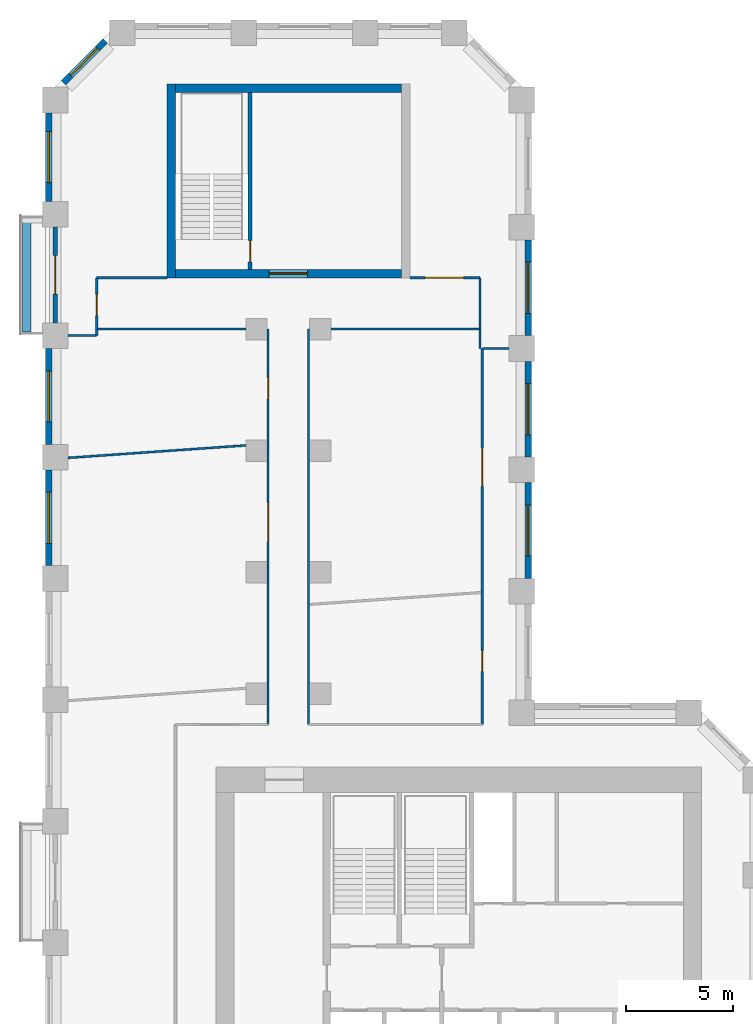
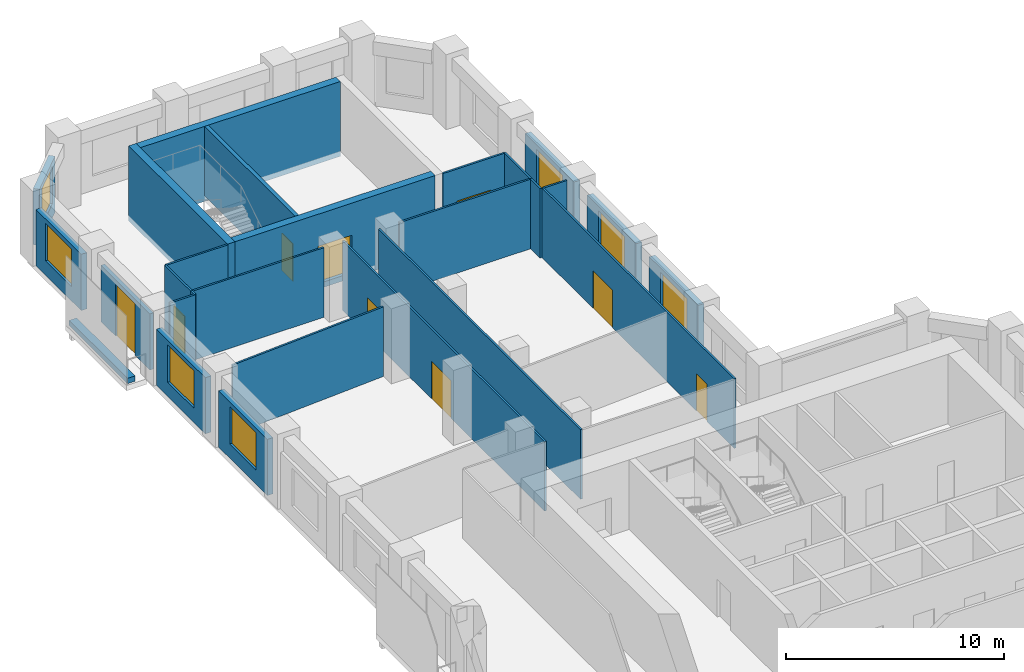
# One storey, part 8 of 10: 27 walls, 9 doors, 7 windows, 16 openings.
"""IFC4 building model written with IfcOpenShell, lengths in metres."""

from ifc_helpers import new_model, si_unit, direction, frame, frame_2d, origin, place, context, subcontext, project, spatial, rectangle, extrude, material, layer, layer_set, type_object, element, fill, save


model = new_model("IFC4")

# Units and contexts
model_context = context("Model", 3, precision=1e-05, world=origin(), true_north=direction((0.0, 1.0)))
body_context = subcontext(model_context, "Body", "Model", "MODEL_VIEW")
ifc_project = project(units=[si_unit("LENGTHUNIT", "METRE"), si_unit("AREAUNIT", "SQUARE_METRE"), si_unit("VOLUMEUNIT", "CUBIC_METRE"), si_unit("PLANEANGLEUNIT", "RADIAN"), si_unit("MASSUNIT", "GRAM", prefix="KILO")], contexts=[model_context])

# Site, building, storey
site_placement = place(None, origin())
site = spatial("IfcSite", under=ifc_project, at=site_placement, CompositionType="ELEMENT")
building_placement = place(site_placement, origin())
building = spatial("IfcBuilding", under=site, at=building_placement, Name="Meshkara Civic Tower", CompositionType="ELEMENT")
storey_placement = place(building_placement, frame((0.0, 0.0, 207.60009765625)))
storey = spatial("IfcBuildingStorey", under=building, at=storey_placement, Name="L47", CompositionType="ELEMENT", Elevation=207.60009765625)

# Wall
ifc_material_1 = material(Name="Corridor wall 100")
ifc_layer_1 = layer(ifc_material_1, 0.10009765625)
ifc_layer_set_1 = layer_set([ifc_layer_1], Name="Corridor wall 100")
wall_type_1 = type_object("IfcWallType", Name="Corridor wall 100", PredefinedType="PARTITIONING", material=ifc_layer_set_1)
wall_1_placement = place(storey_placement, frame((2.39990234375, 57.469970703125, 0.0), z_axis=(0.0, 0.0, 1.0), x_axis=(1.0, 0.0, 0.0)))
element("IfcWall", 1, at=wall_1_placement, inside=storey, type_object=wall_type_1, Name="L47-W001", PredefinedType="PARTITIONING", context=body_context, shape_type="SweptSolid", body=[
    extrude(rectangle(XDim=7.0, YDim=0.10009765625, at=frame_2d((3.5, 0.0))), origin(), (0.0, 0.0, 1.0), 3.89990234375),
])

# Wall, opening, door
wall_2_placement = place(storey_placement, frame((2.39990234375, 59.8701171875, 0.0), z_axis=(0.0, 0.0, 1.0), x_axis=(0.0, -1.0, 0.0)))
wall_2 = element("IfcWall", 2, at=wall_2_placement, inside=storey, type_object=wall_type_1, Name="L47-W002", PredefinedType="PARTITIONING", context=body_context, shape_type="SweptSolid", body=[
    extrude(rectangle(XDim=2.400146484375, YDim=0.10009765625, at=frame_2d((1.2001953125, 0.0))), origin(), (0.0, 0.0, 1.0), 3.89990234375),
])
opening_1_placement = place(wall_2_placement, frame((0.780029296875, 0.0, 0.0)))
opening_1 = element("IfcOpeningElement", 3, at=opening_1_placement, cuts=wall_2, Name="Opening L47-D021", PredefinedType="OPENING", context=body_context, shape_type="SweptSolid", body=[
    extrude(rectangle(XDim=1.0, YDim=2.10009765625, at=frame_2d((0.5, 1.050048828125))), frame((0.0, 0.06005859375, 0.0), z_axis=(0.0, -1.0, 0.0), x_axis=(1.0, 0.0, 0.0)), (0.0, 0.0, 1.0), 0.1201171875),
])
ifc_material_2 = material(Name="Door 1000 x 2100")
door_type_1 = type_object("IfcDoorType", Name="Door 1000 x 2100", OperationType="SINGLE_SWING_LEFT", PredefinedType="DOOR", material=ifc_material_2)
door_1_placement = place(opening_1_placement, origin())
door_1 = element("IfcDoor", 4, at=door_1_placement, inside=storey, type_object=door_type_1, Name="L47-D021", OperationType="SINGLE_SWING_LEFT", OverallHeight=2.10009765625, OverallWidth=1.0, PredefinedType="DOOR", context=body_context, shape_type="SweptSolid", body=[
    extrude(rectangle(XDim=1.0, YDim=2.10009765625, at=frame_2d((0.5, 1.050048828125))), frame((0.0, 0.02490234375, 0.0), z_axis=(0.0, -1.0, 0.0), x_axis=(1.0, 0.0, 0.0)), (0.0, 0.0, 1.0), 0.050048828125),
])
fill(opening_1, door_1)

# Wall
wall_3_placement = place(storey_placement, frame((5.699951171875, 59.8701171875, 0.0), z_axis=(0.0, 0.0, 1.0), x_axis=(-1.0, 0.0, 0.0)))
element("IfcWall", 5, at=wall_3_placement, inside=storey, type_object=wall_type_1, Name="L47-W003", PredefinedType="PARTITIONING", context=body_context, shape_type="SweptSolid", body=[
    extrude(rectangle(XDim=3.300048828125, YDim=0.10009765625, at=frame_2d((1.64990234375, 0.0))), origin(), (0.0, 0.0, 1.0), 3.89990234375),
])

# Wall, openings, doors
wall_4_placement = place(storey_placement, frame((10.449951171875, 57.469970703125, 0.0), z_axis=(0.0, 0.0, 1.0), x_axis=(0.0, -1.0, 0.0)))
wall_4 = element("IfcWall", 6, at=wall_4_placement, inside=storey, type_object=wall_type_1, Name="L47-W012", PredefinedType="PARTITIONING", context=body_context, shape_type="SweptSolid", body=[
    extrude(rectangle(XDim=18.570068359375, YDim=0.10009765625, at=frame_2d((9.28515625, 0.0))), origin(), (0.0, 0.0, 1.0), 3.89990234375),
])
opening_2_placement = place(wall_4_placement, frame((8.176025390625, 0.0, 0.0)))
opening_2 = element("IfcOpeningElement", 7, at=opening_2_placement, cuts=wall_4, Name="Opening L47-D019", PredefinedType="OPENING", context=body_context, shape_type="SweptSolid", body=[
    extrude(rectangle(XDim=1.800048828125, YDim=2.10009765625, at=frame_2d((0.89990234375, 1.050048828125))), frame((0.0, 0.06005859375, 0.0), z_axis=(0.0, -1.0, 0.0), x_axis=(1.0, 0.0, 0.0)), (0.0, 0.0, 1.0), 0.1201171875),
])
opening_3_placement = place(wall_4_placement, frame((2.280029296875, 0.0, 0.0)))
opening_3 = element("IfcOpeningElement", 8, at=opening_3_placement, cuts=wall_4, Name="Opening L47-D022", PredefinedType="OPENING", context=body_context, shape_type="SweptSolid", body=[
    extrude(rectangle(XDim=1.0, YDim=2.10009765625, at=frame_2d((0.5, 1.050048828125))), frame((0.0, 0.06005859375, 0.0), z_axis=(0.0, -1.0, 0.0), x_axis=(1.0, 0.0, 0.0)), (0.0, 0.0, 1.0), 0.1201171875),
])
door_2_placement = place(opening_3_placement, origin())
door_2 = element("IfcDoor", 9, at=door_2_placement, inside=storey, type_object=door_type_1, Name="L47-D022", OperationType="SINGLE_SWING_LEFT", OverallHeight=2.10009765625, OverallWidth=1.0, PredefinedType="DOOR", context=body_context, shape_type="SweptSolid", body=[
    extrude(rectangle(XDim=1.0, YDim=2.10009765625, at=frame_2d((0.5, 1.050048828125))), frame((0.0, 0.02490234375, 0.0), z_axis=(0.0, -1.0, 0.0), x_axis=(1.0, 0.0, 0.0)), (0.0, 0.0, 1.0), 0.050048828125),
])
fill(opening_3, door_2)
ifc_material_3 = material(Name="Door pair 1800 x 2100")
door_type_2 = type_object("IfcDoorType", Name="Door pair 1800 x 2100", OperationType="SINGLE_SWING_LEFT", PredefinedType="DOOR", material=ifc_material_3)
door_3_placement = place(opening_2_placement, origin())
door_3 = element("IfcDoor", 10, at=door_3_placement, inside=storey, type_object=door_type_2, Name="L47-D019", OperationType="DOUBLE_DOOR_SINGLE_SWING", OverallHeight=2.10009765625, OverallWidth=1.800048828125, PredefinedType="DOOR", context=body_context, shape_type="SweptSolid", body=[
    extrude(rectangle(XDim=1.800048828125, YDim=2.10009765625, at=frame_2d((0.89990234375, 1.050048828125))), frame((0.0, 0.02490234375, 0.0), z_axis=(0.0, -1.0, 0.0), x_axis=(1.0, 0.0, 0.0)), (0.0, 0.0, 1.0), 0.050048828125),
])
fill(opening_2, door_3)

# Walls
wall_5_placement = place(storey_placement, frame((12.35009765625, 57.469970703125, 0.0), z_axis=(0.0, 0.0, 1.0), x_axis=(0.0, -1.0, 0.0)))
element("IfcWall", 11, at=wall_5_placement, inside=storey, type_object=wall_type_1, Name="L47-W013", PredefinedType="PARTITIONING", context=body_context, shape_type="SweptSolid", body=[
    extrude(rectangle(XDim=18.570068359375, YDim=0.10009765625, at=frame_2d((9.28515625, 0.0))), origin(), (0.0, 0.0, 1.0), 3.89990234375),
])
wall_6_placement = place(storey_placement, frame((13.39990234375, 57.469970703125, 0.0), z_axis=(0.0, 0.0, 1.0), x_axis=(1.0, 0.0, 0.0)))
element("IfcWall", 12, at=wall_6_placement, inside=storey, type_object=wall_type_1, Name="L47-W015", PredefinedType="PARTITIONING", context=body_context, shape_type="SweptSolid", body=[
    extrude(rectangle(XDim=7.0, YDim=0.10009765625, at=frame_2d((3.5, 0.0))), origin(), (0.0, 0.0, 1.0), 3.89990234375),
])
wall_7_placement = place(storey_placement, frame((20.39990234375, 57.469970703125, 0.0), z_axis=(0.0, 0.0, 1.0), x_axis=(0.0, 1.0, 0.0)))
element("IfcWall", 13, at=wall_7_placement, inside=storey, type_object=wall_type_1, Name="L47-W016", PredefinedType="PARTITIONING", context=body_context, shape_type="SweptSolid", body=[
    extrude(rectangle(XDim=2.400146484375, YDim=0.10009765625, at=frame_2d((1.2001953125, 0.0))), origin(), (0.0, 0.0, 1.0), 3.89990234375),
])

# Wall, opening, door
wall_8_placement = place(storey_placement, frame((20.39990234375, 59.8701171875, 0.0), z_axis=(0.0, 0.0, 1.0), x_axis=(-1.0, 0.0, 0.0)))
wall_8 = element("IfcWall", 14, at=wall_8_placement, inside=storey, type_object=wall_type_1, Name="L47-W017", PredefinedType="PARTITIONING", context=body_context, shape_type="SweptSolid", body=[
    extrude(rectangle(XDim=3.2998046875, YDim=0.10009765625, at=frame_2d((1.64990234375, 0.0))), origin(), (0.0, 0.0, 1.0), 3.89990234375),
])
opening_4_placement = place(wall_8_placement, frame((0.780029296875, 0.0, 0.0)))
opening_4 = element("IfcOpeningElement", 15, at=opening_4_placement, cuts=wall_8, Name="Opening L47-D023", PredefinedType="OPENING", context=body_context, shape_type="SweptSolid", body=[
    extrude(rectangle(XDim=1.800048828125, YDim=2.10009765625, at=frame_2d((0.89990234375, 1.050048828125))), frame((0.0, 0.06005859375, 0.0), z_axis=(0.0, -1.0, 0.0), x_axis=(1.0, 0.0, 0.0)), (0.0, 0.0, 1.0), 0.1201171875),
])
door_4_placement = place(opening_4_placement, origin())
door_4 = element("IfcDoor", 16, at=door_4_placement, inside=storey, type_object=door_type_2, Name="L47-D023", OperationType="DOUBLE_DOOR_SINGLE_SWING", OverallHeight=2.10009765625, OverallWidth=1.800048828125, PredefinedType="DOOR", context=body_context, shape_type="SweptSolid", body=[
    extrude(rectangle(XDim=1.800048828125, YDim=2.10009765625, at=frame_2d((0.89990234375, 1.050048828125))), frame((0.0, 0.02490234375, 0.0), z_axis=(0.0, -1.0, 0.0), x_axis=(1.0, 0.0, 0.0)), (0.0, 0.0, 1.0), 0.050048828125),
])
fill(opening_4, door_4)

# Wall, openings, doors
wall_9_placement = place(storey_placement, frame((20.5, 38.89990234375, 0.0), z_axis=(0.0, 0.0, 1.0), x_axis=(0.0, 1.0, 0.0)))
wall_9 = element("IfcWall", 17, at=wall_9_placement, inside=storey, type_object=wall_type_1, Name="L47-W018", PredefinedType="PARTITIONING", context=body_context, shape_type="SweptSolid", body=[
    extrude(rectangle(XDim=17.650146484375, YDim=0.10009765625, at=frame_2d((8.8251953125, 0.0))), origin(), (0.0, 0.0, 1.0), 3.89990234375),
])
opening_5_placement = place(wall_9_placement, frame((2.47998046875, 0.0, 0.0)))
opening_5 = element("IfcOpeningElement", 18, at=opening_5_placement, cuts=wall_9, Name="Opening L47-D018", PredefinedType="OPENING", context=body_context, shape_type="SweptSolid", body=[
    extrude(rectangle(XDim=1.0, YDim=2.10009765625, at=frame_2d((0.5, 1.050048828125))), frame((0.0, 0.06005859375, 0.0), z_axis=(0.0, -1.0, 0.0), x_axis=(1.0, 0.0, 0.0)), (0.0, 0.0, 1.0), 0.1201171875),
])
opening_6_placement = place(wall_9_placement, frame((11.177001953125, 0.0, 0.0)))
opening_6 = element("IfcOpeningElement", 19, at=opening_6_placement, cuts=wall_9, Name="Opening L47-D020", PredefinedType="OPENING", context=body_context, shape_type="SweptSolid", body=[
    extrude(rectangle(XDim=1.800048828125, YDim=2.10009765625, at=frame_2d((0.89990234375, 1.050048828125))), frame((0.0, 0.06005859375, 0.0), z_axis=(0.0, -1.0, 0.0), x_axis=(1.0, 0.0, 0.0)), (0.0, 0.0, 1.0), 0.1201171875),
])
door_5_placement = place(opening_5_placement, origin())
door_5 = element("IfcDoor", 20, at=door_5_placement, inside=storey, type_object=door_type_1, Name="L47-D018", OperationType="SINGLE_SWING_LEFT", OverallHeight=2.10009765625, OverallWidth=1.0, PredefinedType="DOOR", context=body_context, shape_type="SweptSolid", body=[
    extrude(rectangle(XDim=1.0, YDim=2.10009765625, at=frame_2d((0.5, 1.050048828125))), frame((0.0, 0.02490234375, 0.0), z_axis=(0.0, -1.0, 0.0), x_axis=(1.0, 0.0, 0.0)), (0.0, 0.0, 1.0), 0.050048828125),
])
fill(opening_5, door_5)
door_6_placement = place(opening_6_placement, origin())
door_6 = element("IfcDoor", 21, at=door_6_placement, inside=storey, type_object=door_type_2, Name="L47-D020", OperationType="DOUBLE_DOOR_SINGLE_SWING", OverallHeight=2.10009765625, OverallWidth=1.800048828125, PredefinedType="DOOR", context=body_context, shape_type="SweptSolid", body=[
    extrude(rectangle(XDim=1.800048828125, YDim=2.10009765625, at=frame_2d((0.89990234375, 1.050048828125))), frame((0.0, 0.02490234375, 0.0), z_axis=(0.0, -1.0, 0.0), x_axis=(1.0, 0.0, 0.0)), (0.0, 0.0, 1.0), 0.050048828125),
])
fill(opening_6, door_6)

# Wall
wall_10_placement = place(storey_placement, frame((21.75, 56.550048828125, 0.0), z_axis=(0.0, 0.0, 1.0), x_axis=(-1.0, 0.0, 0.0)))
element("IfcWall", 22, at=wall_10_placement, inside=storey, type_object=wall_type_1, Name="L47-W020", PredefinedType="PARTITIONING", context=body_context, shape_type="SweptSolid", body=[
    extrude(rectangle(XDim=1.25, YDim=0.10009765625, at=frame_2d((0.625, 0.0))), origin(), (0.0, 0.0, 1.0), 3.89990234375),
])

# Wall, opening, window
ifc_material_4 = material(Name="Insulated infill panel with bronze anodised aluminium cladding", Category="aluminium")
ifc_layer_2 = layer(ifc_material_4, 0.300048828125)
ifc_layer_set_2 = layer_set([ifc_layer_2], Name="EXTERNAL INFILL WALL 300")
wall_type_2 = type_object("IfcWallType", Name="EXTERNAL INFILL WALL 300", PredefinedType="SOLIDWALL", material=ifc_layer_set_2)
wall_11_placement = place(storey_placement, frame((22.64990234375, 45.75, 0.0), z_axis=(0.0, 0.0, 1.0), x_axis=(0.0, 1.0, 0.0)))
wall_11 = element("IfcWall", 23, at=wall_11_placement, inside=storey, type_object=wall_type_2, Name="External wall", PredefinedType="SOLIDWALL", context=body_context, shape_type="SweptSolid", body=[
    extrude(rectangle(XDim=4.5, YDim=0.300048828125, at=frame_2d((2.25, 0.0))), origin(), (0.0, 0.0, 1.0), 3.14990234375),
])
opening_7_placement = place(wall_11_placement, frame((1.050048828125, 0.0, 0.800048828125)))
opening_7 = element("IfcOpeningElement", 24, at=opening_7_placement, cuts=wall_11, Name="Opening W7", PredefinedType="OPENING", context=body_context, shape_type="SweptSolid", body=[
    extrude(rectangle(XDim=2.39990234375, YDim=2.10009765625, at=frame_2d((1.199951171875, 1.050048828125))), frame((0.0, 0.159912109375, 0.0), z_axis=(0.0, -1.0, 0.0), x_axis=(1.0, 0.0, 0.0)), (0.0, 0.0, 1.0), 0.320068359375),
])
ifc_material_5 = material(Name="Tinted double glazing", Category="glass")
window_type_1 = type_object("IfcWindowType", Name="WINDOW 2400x2100", PartitioningType="DOUBLE_PANEL_VERTICAL", PredefinedType="WINDOW", material=ifc_material_5)
window_1_placement = place(opening_7_placement, origin())
window_1 = element("IfcWindow", 25, at=window_1_placement, inside=storey, type_object=window_type_1, Name="Window", OverallHeight=2.10009765625, OverallWidth=2.39990234375, PartitioningType="DOUBLE_PANEL_VERTICAL", PredefinedType="WINDOW", context=body_context, shape_type="SweptSolid", body=[
    extrude(rectangle(XDim=2.39990234375, YDim=2.10009765625, at=frame_2d((1.199951171875, 1.050048828125))), frame((0.0, 0.030029296875, 0.0), z_axis=(0.0, -1.0, 0.0), x_axis=(1.0, 0.0, 0.0)), (0.0, 0.0, 1.0), 0.06005859375),
])
fill(opening_7, window_1)

wall_12_placement = place(storey_placement, frame((22.64990234375, 51.449951171875, 0.0), z_axis=(0.0, 0.0, 1.0), x_axis=(0.0, 1.0, 0.0)))
wall_12 = element("IfcWall", 26, at=wall_12_placement, inside=storey, type_object=wall_type_2, Name="External wall", PredefinedType="SOLIDWALL", context=body_context, shape_type="SweptSolid", body=[
    extrude(rectangle(XDim=4.5, YDim=0.300048828125, at=frame_2d((2.25, 0.0))), origin(), (0.0, 0.0, 1.0), 3.14990234375),
])
opening_8_placement = place(wall_12_placement, frame((1.050048828125, 0.0, 0.800048828125)))
opening_8 = element("IfcOpeningElement", 27, at=opening_8_placement, cuts=wall_12, Name="Opening W7", PredefinedType="OPENING", context=body_context, shape_type="SweptSolid", body=[
    extrude(rectangle(XDim=2.39990234375, YDim=2.10009765625, at=frame_2d((1.199951171875, 1.050048828125))), frame((0.0, 0.159912109375, 0.0), z_axis=(0.0, -1.0, 0.0), x_axis=(1.0, 0.0, 0.0)), (0.0, 0.0, 1.0), 0.320068359375),
])
window_2_placement = place(opening_8_placement, origin())
window_2 = element("IfcWindow", 28, at=window_2_placement, inside=storey, type_object=window_type_1, Name="Window", OverallHeight=2.10009765625, OverallWidth=2.39990234375, PartitioningType="DOUBLE_PANEL_VERTICAL", PredefinedType="WINDOW", context=body_context, shape_type="SweptSolid", body=[
    extrude(rectangle(XDim=2.39990234375, YDim=2.10009765625, at=frame_2d((1.199951171875, 1.050048828125))), frame((0.0, 0.030029296875, 0.0), z_axis=(0.0, -1.0, 0.0), x_axis=(1.0, 0.0, 0.0)), (0.0, 0.0, 1.0), 0.06005859375),
])
fill(opening_8, window_2)

wall_13_placement = place(storey_placement, frame((22.64990234375, 57.14990234375, 0.0), z_axis=(0.0, 0.0, 1.0), x_axis=(0.0, 1.0, 0.0)))
wall_13 = element("IfcWall", 29, at=wall_13_placement, inside=storey, type_object=wall_type_2, Name="External wall", PredefinedType="SOLIDWALL", context=body_context, shape_type="SweptSolid", body=[
    extrude(rectangle(XDim=4.5, YDim=0.300048828125, at=frame_2d((2.25, 0.0))), origin(), (0.0, 0.0, 1.0), 3.14990234375),
])
opening_9_placement = place(wall_13_placement, frame((1.050048828125, 0.0, 0.800048828125)))
opening_9 = element("IfcOpeningElement", 30, at=opening_9_placement, cuts=wall_13, Name="Opening W7", PredefinedType="OPENING", context=body_context, shape_type="SweptSolid", body=[
    extrude(rectangle(XDim=2.39990234375, YDim=2.10009765625, at=frame_2d((1.199951171875, 1.050048828125))), frame((0.0, 0.159912109375, 0.0), z_axis=(0.0, -1.0, 0.0), x_axis=(1.0, 0.0, 0.0)), (0.0, 0.0, 1.0), 0.320068359375),
])
window_3_placement = place(opening_9_placement, origin())
window_3 = element("IfcWindow", 31, at=window_3_placement, inside=storey, type_object=window_type_1, Name="Window", OverallHeight=2.10009765625, OverallWidth=2.39990234375, PartitioningType="DOUBLE_PANEL_VERTICAL", PredefinedType="WINDOW", context=body_context, shape_type="SweptSolid", body=[
    extrude(rectangle(XDim=2.39990234375, YDim=2.10009765625, at=frame_2d((1.199951171875, 1.050048828125))), frame((0.0, 0.030029296875, 0.0), z_axis=(0.0, -1.0, 0.0), x_axis=(1.0, 0.0, 0.0)), (0.0, 0.0, 1.0), 0.06005859375),
])
fill(opening_9, window_3)

wall_14_placement = place(storey_placement, frame((2.7939453125, 70.98193359375, 0.0), z_axis=(0.0, 0.0, 1.0), x_axis=(-0.707106781187, -0.707106781187, 0.0)))
wall_14 = element("IfcWall", 32, at=wall_14_placement, inside=storey, type_object=wall_type_2, Name="External wall", PredefinedType="SOLIDWALL", context=body_context, shape_type="SweptSolid", body=[
    extrude(rectangle(XDim=2.766357421875, YDim=0.300048828125, at=frame_2d((1.38330078125, 0.0))), origin(), (0.0, 0.0, 1.0), 3.14990234375),
])
opening_10_placement = place(wall_14_placement, frame((0.48291015625, 0.0, 0.800048828125)))
opening_10 = element("IfcOpeningElement", 33, at=opening_10_placement, cuts=wall_14, Name="Opening W9", PredefinedType="OPENING", context=body_context, shape_type="SweptSolid", body=[
    extrude(rectangle(XDim=1.800048828125, YDim=2.10009765625, at=frame_2d((0.89990234375, 1.050048828125))), frame((0.0, 0.159912109375, 0.0), z_axis=(0.0, -1.0, 0.0), x_axis=(1.0, 0.0, 0.0)), (0.0, 0.0, 1.0), 0.320068359375),
])
ifc_material_6 = material(Name="Tinted double glazing", Category="glass")
window_type_2 = type_object("IfcWindowType", Name="WINDOW 1800x2100", PartitioningType="DOUBLE_PANEL_VERTICAL", PredefinedType="WINDOW", material=ifc_material_6)
window_4_placement = place(opening_10_placement, origin())
window_4 = element("IfcWindow", 34, at=window_4_placement, inside=storey, type_object=window_type_2, Name="Window", OverallHeight=2.10009765625, OverallWidth=1.800048828125, PartitioningType="DOUBLE_PANEL_VERTICAL", PredefinedType="WINDOW", context=body_context, shape_type="SweptSolid", body=[
    extrude(rectangle(XDim=1.800048828125, YDim=2.10009765625, at=frame_2d((0.89990234375, 1.050048828125))), frame((0.0, 0.030029296875, 0.0), z_axis=(0.0, -1.0, 0.0), x_axis=(1.0, 0.0, 0.0)), (0.0, 0.0, 1.0), 0.06005859375),
])
fill(opening_10, window_4)

wall_15_placement = place(storey_placement, frame((0.14990234375, 67.614013671875, 0.0), z_axis=(0.0, 0.0, 1.0), x_axis=(0.0, -1.0, 0.0)))
wall_15 = element("IfcWall", 35, at=wall_15_placement, inside=storey, type_object=wall_type_2, Name="External wall", PredefinedType="SOLIDWALL", context=body_context, shape_type="SweptSolid", body=[
    extrude(rectangle(XDim=4.158935546875, YDim=0.300048828125, at=frame_2d((2.07958984375, 0.0))), origin(), (0.0, 0.0, 1.0), 3.14990234375),
])
opening_11_placement = place(wall_15_placement, frame((0.8798828125, 0.0, 0.800048828125)))
opening_11 = element("IfcOpeningElement", 36, at=opening_11_placement, cuts=wall_15, Name="Opening W7", PredefinedType="OPENING", context=body_context, shape_type="SweptSolid", body=[
    extrude(rectangle(XDim=2.39990234375, YDim=2.10009765625, at=frame_2d((1.199951171875, 1.050048828125))), frame((0.0, 0.159912109375, 0.0), z_axis=(0.0, -1.0, 0.0), x_axis=(1.0, 0.0, 0.0)), (0.0, 0.0, 1.0), 0.320068359375),
])
window_5_placement = place(opening_11_placement, origin())
window_5 = element("IfcWindow", 37, at=window_5_placement, inside=storey, type_object=window_type_1, Name="Window", OverallHeight=2.10009765625, OverallWidth=2.39990234375, PartitioningType="DOUBLE_PANEL_VERTICAL", PredefinedType="WINDOW", context=body_context, shape_type="SweptSolid", body=[
    extrude(rectangle(XDim=2.39990234375, YDim=2.10009765625, at=frame_2d((1.199951171875, 1.050048828125))), frame((0.0, 0.030029296875, 0.0), z_axis=(0.0, -1.0, 0.0), x_axis=(1.0, 0.0, 0.0)), (0.0, 0.0, 1.0), 0.06005859375),
])
fill(opening_11, window_5)

wall_16_placement = place(storey_placement, frame((0.14990234375, 56.554931640625, 0.0), z_axis=(0.0, 0.0, 1.0), x_axis=(0.0, -1.0, 0.0)))
wall_16 = element("IfcWall", 38, at=wall_16_placement, inside=storey, type_object=wall_type_2, Name="External wall", PredefinedType="SOLIDWALL", context=body_context, shape_type="SweptSolid", body=[
    extrude(rectangle(XDim=4.5, YDim=0.300048828125, at=frame_2d((2.25, 0.0))), origin(), (0.0, 0.0, 1.0), 3.14990234375),
])
opening_12_placement = place(wall_16_placement, frame((1.050048828125, 0.0, 0.800048828125)))
opening_12 = element("IfcOpeningElement", 39, at=opening_12_placement, cuts=wall_16, Name="Opening W7", PredefinedType="OPENING", context=body_context, shape_type="SweptSolid", body=[
    extrude(rectangle(XDim=2.39990234375, YDim=2.10009765625, at=frame_2d((1.199951171875, 1.050048828125))), frame((0.0, 0.159912109375, 0.0), z_axis=(0.0, -1.0, 0.0), x_axis=(1.0, 0.0, 0.0)), (0.0, 0.0, 1.0), 0.320068359375),
])
window_6_placement = place(opening_12_placement, origin())
window_6 = element("IfcWindow", 40, at=window_6_placement, inside=storey, type_object=window_type_1, Name="Window", OverallHeight=2.10009765625, OverallWidth=2.39990234375, PartitioningType="DOUBLE_PANEL_VERTICAL", PredefinedType="WINDOW", context=body_context, shape_type="SweptSolid", body=[
    extrude(rectangle(XDim=2.39990234375, YDim=2.10009765625, at=frame_2d((1.199951171875, 1.050048828125))), frame((0.0, 0.030029296875, 0.0), z_axis=(0.0, -1.0, 0.0), x_axis=(1.0, 0.0, 0.0)), (0.0, 0.0, 1.0), 0.06005859375),
])
fill(opening_12, window_6)

wall_17_placement = place(storey_placement, frame((0.14990234375, 50.85498046875, 0.0), z_axis=(0.0, 0.0, 1.0), x_axis=(0.0, -1.0, 0.0)))
wall_17 = element("IfcWall", 41, at=wall_17_placement, inside=storey, type_object=wall_type_2, Name="External wall", PredefinedType="SOLIDWALL", context=body_context, shape_type="SweptSolid", body=[
    extrude(rectangle(XDim=4.5, YDim=0.300048828125, at=frame_2d((2.25, 0.0))), origin(), (0.0, 0.0, 1.0), 3.14990234375),
])
opening_13_placement = place(wall_17_placement, frame((1.050048828125, 0.0, 0.800048828125)))
opening_13 = element("IfcOpeningElement", 42, at=opening_13_placement, cuts=wall_17, Name="Opening W7", PredefinedType="OPENING", context=body_context, shape_type="SweptSolid", body=[
    extrude(rectangle(XDim=2.39990234375, YDim=2.10009765625, at=frame_2d((1.199951171875, 1.050048828125))), frame((0.0, 0.159912109375, 0.0), z_axis=(0.0, -1.0, 0.0), x_axis=(1.0, 0.0, 0.0)), (0.0, 0.0, 1.0), 0.320068359375),
])
window_7_placement = place(opening_13_placement, origin())
window_7 = element("IfcWindow", 43, at=window_7_placement, inside=storey, type_object=window_type_1, Name="Window", OverallHeight=2.10009765625, OverallWidth=2.39990234375, PartitioningType="DOUBLE_PANEL_VERTICAL", PredefinedType="WINDOW", context=body_context, shape_type="SweptSolid", body=[
    extrude(rectangle(XDim=2.39990234375, YDim=2.10009765625, at=frame_2d((1.199951171875, 1.050048828125))), frame((0.0, 0.030029296875, 0.0), z_axis=(0.0, -1.0, 0.0), x_axis=(1.0, 0.0, 0.0)), (0.0, 0.0, 1.0), 0.06005859375),
])
fill(opening_13, window_7)

# Wall
ifc_material_7 = material(Name="Concrete C70", Category="concrete")
ifc_layer_3 = layer(ifc_material_7, 0.39990234375)
ifc_layer_set_3 = layer_set([ifc_layer_3], Name="End core ring wall 400 C70")
wall_type_3 = type_object("IfcWallType", Name="End core ring wall 400 C70", PredefinedType="SHEAR", material=ifc_layer_set_3)
wall_18_placement = place(storey_placement, frame((5.89990234375, 59.8701171875, -0.300048828125), z_axis=(0.0, 0.0, 1.0), x_axis=(0.0, 1.0, 0.0)))
element("IfcWall", 44, at=wall_18_placement, inside=storey, type_object=wall_type_3, Name="L47-C023", PredefinedType="SHEAR", context=body_context, shape_type="SweptSolid", body=[
    extrude(rectangle(XDim=9.099853515625, YDim=0.39990234375, at=frame_2d((4.5498046875, 0.0))), origin(), (0.0, 0.0, 1.0), 4.199951171875),
])

# Wall, opening, door
wall_19_placement = place(storey_placement, frame((6.10009765625, 60.070068359375, -0.300048828125), z_axis=(0.0, 0.0, 1.0), x_axis=(1.0, 0.0, 0.0)))
wall_19 = element("IfcWall", 45, at=wall_19_placement, inside=storey, type_object=wall_type_3, Name="L47-C025", PredefinedType="SHEAR", context=body_context, shape_type="SweptSolid", body=[
    extrude(rectangle(XDim=10.599853515625, YDim=0.39990234375, at=frame_2d((5.2998046875, 0.0))), origin(), (0.0, 0.0, 1.0), 4.199951171875),
])
opening_14_placement = place(wall_19_placement, frame((4.39990234375, 0.0, 0.300048828125)))
opening_14 = element("IfcOpeningElement", 46, at=opening_14_placement, cuts=wall_19, Name="Opening L47-K102", PredefinedType="OPENING", context=body_context, shape_type="SweptSolid", body=[
    extrude(rectangle(XDim=1.800048828125, YDim=2.10009765625, at=frame_2d((0.89990234375, 1.050048828125))), frame((0.0, 0.2099609375, 0.0), z_axis=(0.0, -1.0, 0.0), x_axis=(1.0, 0.0, 0.0)), (0.0, 0.0, 1.0), 0.419921875),
])
ifc_material_8 = material(Name="Fire-rated door leaf in steel frame", Category="steel")
door_type_3 = type_object("IfcDoorType", Name="Core double door 1800 EI 60", OperationType="DOUBLE_DOOR_SINGLE_SWING", PredefinedType="DOOR", material=ifc_material_8)
door_7_placement = place(opening_14_placement, origin())
door_7 = element("IfcDoor", 47, at=door_7_placement, inside=storey, type_object=door_type_3, Name="L47-K102", OperationType="DOUBLE_DOOR_SINGLE_SWING", OverallHeight=2.10009765625, OverallWidth=1.800048828125, PredefinedType="DOOR", context=body_context, shape_type="SweptSolid", body=[
    extrude(rectangle(XDim=1.800048828125, YDim=2.10009765625, at=frame_2d((0.89990234375, 1.050048828125))), frame((0.0, 0.02490234375, 0.0), z_axis=(0.0, -1.0, 0.0), x_axis=(1.0, 0.0, 0.0)), (0.0, 0.0, 1.0), 0.050048828125),
])
fill(opening_14, door_7)

# Wall
wall_20_placement = place(storey_placement, frame((6.10009765625, 68.77001953125, -0.300048828125), z_axis=(0.0, 0.0, 1.0), x_axis=(1.0, 0.0, 0.0)))
element("IfcWall", 48, at=wall_20_placement, inside=storey, type_object=wall_type_3, Name="L47-C026", PredefinedType="SHEAR", context=body_context, shape_type="SweptSolid", body=[
    extrude(rectangle(XDim=10.599853515625, YDim=0.39990234375, at=frame_2d((5.2998046875, 0.0))), origin(), (0.0, 0.0, 1.0), 4.199951171875),
])

# Wall, opening, door
ifc_material_9 = material(Name="Insulated infill panel with bronze anodised aluminium cladding", Category="aluminium")
ifc_layer_4 = layer(ifc_material_9, 0.199951171875)
ifc_layer_set_4 = layer_set([ifc_layer_4], Name="LOGGIA BACK WALL 200")
wall_type_4 = type_object("IfcWallType", Name="LOGGIA BACK WALL 200", PredefinedType="SOLIDWALL", material=ifc_layer_set_4)
wall_21_placement = place(storey_placement, frame((0.449951171875, 62.2548828125, 0.0), z_axis=(0.0, 0.0, 1.0), x_axis=(0.0, -1.0, 0.0)))
wall_21 = element("IfcWall", 49, at=wall_21_placement, inside=storey, type_object=wall_type_4, Name="Loggia wall", PredefinedType="SOLIDWALL", context=body_context, shape_type="SweptSolid", body=[
    extrude(rectangle(XDim=4.5, YDim=0.199951171875, at=frame_2d((2.25, 0.0))), origin(), (0.0, 0.0, 1.0), 3.14990234375),
])
opening_15_placement = place(wall_21_placement, frame((1.34912109375, 0.0, 0.0)))
opening_15 = element("IfcOpeningElement", 50, at=opening_15_placement, cuts=wall_21, Name="Opening L47-L001", PredefinedType="OPENING", context=body_context, shape_type="SweptSolid", body=[
    extrude(rectangle(XDim=1.800048828125, YDim=2.89990234375, at=frame_2d((0.89990234375, 1.449951171875))), frame((0.0, 0.10986328125, 0.0), z_axis=(0.0, -1.0, 0.0), x_axis=(1.0, 0.0, 0.0)), (0.0, 0.0, 1.0), 0.219970703125),
])
ifc_material_10 = material(Name="Tinted double glazing", Category="glass")
door_type_4 = type_object("IfcDoorType", Name="LOGGIA DOOR 1800x2900", OperationType="DOUBLE_DOOR_SINGLE_SWING", PredefinedType="DOOR", material=ifc_material_10)
door_8_placement = place(opening_15_placement, origin())
door_8 = element("IfcDoor", 51, at=door_8_placement, inside=storey, type_object=door_type_4, Name="L47-L001", OperationType="DOUBLE_DOOR_SINGLE_SWING", OverallHeight=2.89990234375, OverallWidth=1.800048828125, PredefinedType="DOOR", context=body_context, shape_type="SweptSolid", body=[
    extrude(rectangle(XDim=1.800048828125, YDim=2.89990234375, at=frame_2d((0.89990234375, 1.449951171875))), frame((0.0, 0.02490234375, 0.0), z_axis=(0.0, -1.0, 0.0), x_axis=(1.0, 0.0, 0.0)), (0.0, 0.0, 1.0), 0.050048828125),
])
fill(opening_15, door_8)

# Walls
ifc_material_11 = material(Name="Concrete C40", Category="concrete")
ifc_layer_5 = layer(ifc_material_11, 0.39990234375)
ifc_layer_set_5 = layer_set([ifc_layer_5], Name="PLANTER TRAY")
wall_type_5 = type_object("IfcWallType", Name="PLANTER TRAY", PredefinedType="SOLIDWALL", material=ifc_layer_set_5)
wall_22_placement = place(storey_placement, frame((-0.8798828125, 62.68505859375, 0.0), z_axis=(0.0, 0.0, 1.0), x_axis=(0.0, -1.0, 0.0)))
element("IfcWall", 52, at=wall_22_placement, inside=storey, type_object=wall_type_5, Name="Planter", PredefinedType="SOLIDWALL", context=body_context, shape_type="SweptSolid", body=[
    extrude(rectangle(XDim=5.360107421875, YDim=0.39990234375, at=frame_2d((2.68017578125, 0.0))), origin(), (0.0, 0.0, 1.0), 0.2998046875),
])
ifc_material_12 = material(Name="Partition 100")
ifc_layer_6 = layer(ifc_material_12, 0.10009765625)
ifc_layer_set_6 = layer_set([ifc_layer_6], Name="Partition 100")
wall_type_6 = type_object("IfcWallType", Name="Partition 100", PredefinedType="PARTITIONING", material=ifc_layer_set_6)
wall_23_placement = place(storey_placement, frame((2.39990234375, 57.155029296875, 0.0), z_axis=(0.0, 0.0, 1.0), x_axis=(-1.0, 0.0, 0.0)))
element("IfcWall", 53, at=wall_23_placement, inside=storey, type_object=wall_type_6, Name="L47-W034", PredefinedType="PARTITIONING", context=body_context, shape_type="SweptSolid", body=[
    extrude(rectangle(XDim=1.349853515625, YDim=0.10009765625, at=frame_2d((0.6748046875, 0.0))), origin(), (0.0, 0.0, 1.0), 3.89990234375),
])
wall_24_placement = place(storey_placement, frame((2.39990234375, 57.47412109375, 0.0), z_axis=(0.0, 0.0, 1.0), x_axis=(0.0, -1.0, 0.0)))
element("IfcWall", 54, at=wall_24_placement, inside=storey, type_object=wall_type_6, Name="L47-W035", PredefinedType="PARTITIONING", context=body_context, shape_type="SweptSolid", body=[
    extrude(rectangle(XDim=0.319091796875, YDim=0.10009765625, at=frame_2d((0.15966796875, 0.0))), origin(), (0.0, 0.0, 1.0), 3.89990234375),
])
wall_25_placement = place(storey_placement, frame((9.39990234375, 52.0009765625, 0.0), z_axis=(0.0, 0.0, 1.0), x_axis=(-0.997555044264, -0.069885146225, 0.0)))
element("IfcWall", 55, at=wall_25_placement, inside=storey, type_object=wall_type_6, Name="L47-W040", PredefinedType="PARTITIONING", context=body_context, shape_type="SweptSolid", body=[
    extrude(rectangle(XDim=8.370361328125, YDim=0.10009765625, at=frame_2d((4.18505859375, 0.0))), origin(), (0.0, 0.0, 1.0), 3.89990234375),
])
wall_26_placement = place(storey_placement, frame((20.39990234375, 56.550048828125, 0.0), z_axis=(0.0, 0.0, 1.0), x_axis=(0.0, 1.0, 0.0)))
element("IfcWall", 56, at=wall_26_placement, inside=storey, type_object=wall_type_6, Name="L47-W041", PredefinedType="PARTITIONING", context=body_context, shape_type="SweptSolid", body=[
    extrude(rectangle(XDim=0.924072265625, YDim=0.10009765625, at=frame_2d((0.4619140625, 0.0))), origin(), (0.0, 0.0, 1.0), 3.89990234375),
])

# Wall, opening, door
ifc_material_13 = material(Name="Concrete C40/50", Category="concrete")
ifc_layer_7 = layer(ifc_material_13, 0.199951171875)
ifc_layer_set_7 = layer_set([ifc_layer_7], Name="Stair enclosure wall 200 C40/50")
wall_type_7 = type_object("IfcWallType", Name="Stair enclosure wall 200 C40/50", PredefinedType="SOLIDWALL", material=ifc_layer_set_7)
wall_27_placement = place(storey_placement, frame((9.60009765625, 60.27001953125, 0.0), z_axis=(0.0, 0.0, 1.0), x_axis=(0.0, 1.0, 0.0)))
wall_27 = element("IfcWall", 57, at=wall_27_placement, inside=storey, type_object=wall_type_7, Name="L47-C027", PredefinedType="SOLIDWALL", context=body_context, shape_type="SweptSolid", body=[
    extrude(rectangle(XDim=8.300048828125, YDim=0.199951171875, at=frame_2d((4.14990234375, 0.0))), origin(), (0.0, 0.0, 1.0), 3.89990234375),
])
opening_16_placement = place(wall_27_placement, frame((0.35009765625, 0.0, 0.0)))
opening_16 = element("IfcOpeningElement", 58, at=opening_16_placement, cuts=wall_27, Name="Opening L47-K101", PredefinedType="OPENING", context=body_context, shape_type="SweptSolid", body=[
    extrude(rectangle(XDim=1.0, YDim=2.10009765625, at=frame_2d((0.5, 1.050048828125))), frame((0.0, 0.10986328125, 0.0), z_axis=(0.0, -1.0, 0.0), x_axis=(1.0, 0.0, 0.0)), (0.0, 0.0, 1.0), 0.219970703125),
])
ifc_material_14 = material(Name="Fire-rated door leaf in steel frame", Category="steel")
door_type_5 = type_object("IfcDoorType", Name="Stair door 1000 EI 120", OperationType="SINGLE_SWING_LEFT", PredefinedType="DOOR", material=ifc_material_14)
door_9_placement = place(opening_16_placement, origin())
door_9 = element("IfcDoor", 59, at=door_9_placement, inside=storey, type_object=door_type_5, Name="L47-K101", OperationType="SINGLE_SWING_RIGHT", OverallHeight=2.10009765625, OverallWidth=1.0, PredefinedType="DOOR", context=body_context, shape_type="SweptSolid", body=[
    extrude(rectangle(XDim=1.0, YDim=2.10009765625, at=frame_2d((0.5, 1.050048828125))), frame((0.0, 0.02490234375, 0.0), z_axis=(0.0, -1.0, 0.0), x_axis=(1.0, 0.0, 0.0)), (0.0, 0.0, 1.0), 0.050048828125),
])
fill(opening_16, door_9)

save(model, "model.ifc")
